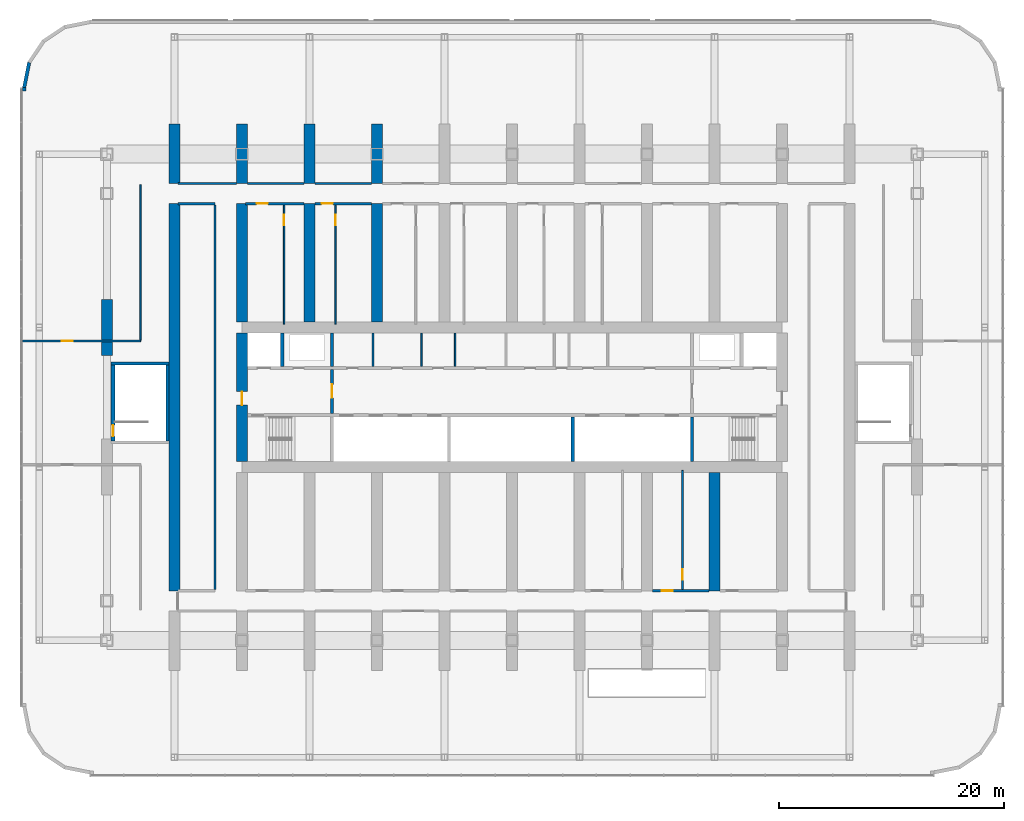
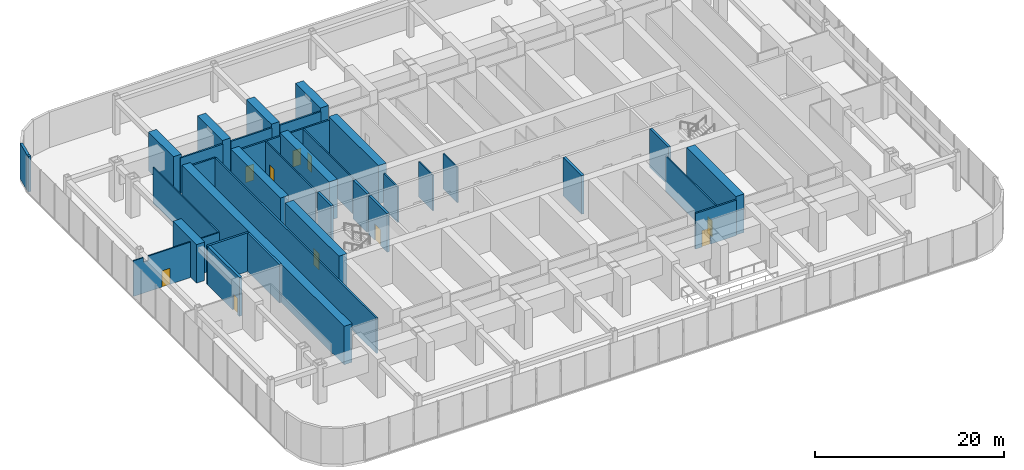
# One storey, part 13 of 26: 37 walls, 10 doors, 10 openings.
"""IFC4 building model written with IfcOpenShell, lengths in metres."""

from ifc_helpers import new_model, si_unit, direction, frame, frame_2d, origin, place, context, subcontext, project, spatial, polyline, rectangle, outline, extrude, material, layer, layer_set, type_object, element, fill, save


model = new_model("IFC4")

# Units and contexts
model_context = context("Model", 3, precision=1e-05, world=origin(), true_north=direction((0.0, 1.0)))
body_context = subcontext(model_context, "Body", "Model", "MODEL_VIEW")
ifc_project = project(units=[si_unit("LENGTHUNIT", "METRE"), si_unit("AREAUNIT", "SQUARE_METRE"), si_unit("VOLUMEUNIT", "CUBIC_METRE"), si_unit("PLANEANGLEUNIT", "RADIAN"), si_unit("MASSUNIT", "GRAM", prefix="KILO")], contexts=[model_context])

# Site, building, storey
site_placement = place(None, origin())
site = spatial("IfcSite", under=ifc_project, at=site_placement, CompositionType="ELEMENT")
building_placement = place(site_placement, origin())
building = spatial("IfcBuilding", under=site, at=building_placement, Name="Orbita Commons", CompositionType="ELEMENT")
storey_placement = place(building_placement, frame((0.0, 0.0, 11.0)))
storey = spatial("IfcBuildingStorey", under=building, at=storey_placement, Name="L02", CompositionType="ELEMENT", Elevation=11.0)

# Wall
ifc_material_1 = material(Name="Concrete C50/60", Category="concrete")
ifc_layer_1 = layer(ifc_material_1, 0.300048828125)
ifc_layer_set_1 = layer_set([ifc_layer_1], Name="Concrete C50/60")
wall_type_1 = type_object("IfcWallType", Name="Core inner wall 300 C50/60", PredefinedType="SHEAR", material=ifc_layer_set_1)
wall_1_placement = place(storey_placement, frame((58.0, 26.300048828125, 0.0), z_axis=(0.0, 0.0, 1.0), x_axis=(0.0, 1.0, 0.0)))
element("IfcWall", 1, at=wall_1_placement, inside=storey, type_object=wall_type_1, Name="Stair S2 wall L02", PredefinedType="SHEAR", context=body_context, shape_type="SweptSolid", body=[
    extrude(rectangle(XDim=3.949951171875, YDim=0.300048828125, at=frame_2d((1.97509765625, 0.0))), origin(), (0.0, 0.0, 1.0), 5.0),
])

# Wall, opening, door
wall_2_placement = place(storey_placement, frame((26.0, 30.550048828125, 0.0), z_axis=(0.0, 0.0, 1.0), x_axis=(0.0, 1.0, 0.0)))
wall_2 = element("IfcWall", 2, at=wall_2_placement, inside=storey, type_object=wall_type_1, Name="Firefighting lobby wall west L02", PredefinedType="SHEAR", context=body_context, shape_type="SweptSolid", body=[
    extrude(rectangle(XDim=3.89990234375, YDim=0.300048828125, at=frame_2d((1.949951171875, 0.0))), origin(), (0.0, 0.0, 1.0), 5.0),
])
opening_1_placement = place(wall_2_placement, frame((1.39990234375, 0.0, 0.0)))
opening_1 = element("IfcOpeningElement", 3, at=opening_1_placement, cuts=wall_2, Name="Opening D04", PredefinedType="OPENING", context=body_context, shape_type="SweptSolid", body=[
    extrude(rectangle(XDim=1.199951171875, YDim=2.10009765625, at=frame_2d((0.60009765625, 1.050048828125))), frame((0.0, 0.159912109375, 0.0), z_axis=(0.0, -1.0, 0.0), x_axis=(1.0, 0.0, 0.0)), (0.0, 0.0, 1.0), 0.320068359375),
])
ifc_material_2 = material(Name="Steel-faced fire door leaf", Category="steel")
door_type_1 = type_object("IfcDoorType", Name="Service door 20 min 1200x2100", OperationType="SINGLE_SWING_LEFT", PredefinedType="DOOR", material=ifc_material_2)
door_1_placement = place(opening_1_placement, origin())
door_1 = element("IfcDoor", 4, at=door_1_placement, inside=storey, type_object=door_type_1, Name="Lift lobby door west", OperationType="SINGLE_SWING_LEFT", OverallHeight=2.10009765625, OverallWidth=1.199951171875, PredefinedType="DOOR", context=body_context, shape_type="SweptSolid", body=[
    extrude(rectangle(XDim=1.199951171875, YDim=2.10009765625, at=frame_2d((0.60009765625, 1.050048828125))), frame((0.0, 0.02490234375, 0.0), z_axis=(0.0, -1.0, 0.0), x_axis=(1.0, 0.0, 0.0)), (0.0, 0.0, 1.0), 0.050048828125),
])
fill(opening_1, door_1)

# Walls
for number, where, z_axis, x_axis, name in (
    (5, (21.60009765625, 34.75, 0.0), (0.0, 0.0, 1.0), (0.0, 1.0, 0.0), "Firefighting lift FL1 shaft wall L02"),
    (6, (26.0, 34.75, 0.0), (0.0, 0.0, 1.0), (0.0, 1.0, 0.0), "Riser wall west L02"),
):
    element("IfcWall", number, at=place(storey_placement, frame(where, z_axis=z_axis, x_axis=x_axis)), inside=storey, type_object=wall_type_1, Name=name, PredefinedType="SHEAR", context=body_context, shape_type="SweptSolid", body=[
        extrude(rectangle(XDim=2.949951171875, YDim=0.300048828125, at=frame_2d((1.47509765625, 0.0))), origin(), (0.0, 0.0, 1.0), 5.0),
    ])
wall_3_placement = place(storey_placement, frame((47.39990234375, 26.300048828125, 0.0), z_axis=(0.0, 0.0, 1.0), x_axis=(0.0, 1.0, 0.0)))
element("IfcWall", 7, at=wall_3_placement, inside=storey, type_object=wall_type_1, Name="Hoistway division wall L02", PredefinedType="SHEAR", context=body_context, shape_type="SweptSolid", body=[
    extrude(rectangle(XDim=3.949951171875, YDim=0.300048828125, at=frame_2d((1.97509765625, 0.0))), origin(), (0.0, 0.0, 1.0), 5.0),
])
ifc_material_3 = material(Name="Concrete blockwork", Category="masonry")
ifc_layer_2 = layer(ifc_material_3, 0.14990234375)
ifc_layer_set_2 = layer_set([ifc_layer_2], Name="Concrete blockwork")
wall_type_2 = type_object("IfcWallType", Name="Core partition 150 blockwork", PredefinedType="SOLIDWALL", material=ifc_layer_set_2)
for number, where, z_axis, x_axis, name in (
    (8, (29.65087890625, 34.75, 0.0), (0.0, 0.0, 1.0), (0.0, 1.0, 0.0), "Core partition 150 blockwork L02"),
    (9, (33.9462890625, 34.75, 0.0), (0.0, 0.0, 1.0), (0.0, 1.0, 0.0), "Core partition 150 blockwork L02"),
    (10, (36.9462890625, 34.75, 0.0), (0.0, 0.0, 1.0), (0.0, 1.0, 0.0), "Core partition 150 blockwork L02"),
):
    element("IfcWall", number, at=place(storey_placement, frame(where, z_axis=z_axis, x_axis=x_axis)), inside=storey, type_object=wall_type_2, Name=name, PredefinedType="SOLIDWALL", context=body_context, shape_type="SweptSolid", body=[
        extrude(rectangle(XDim=2.949951171875, YDim=0.14990234375, at=frame_2d((1.47509765625, 0.0))), origin(), (0.0, 0.0, 1.0), 4.60009765625),
    ])

# Wall, opening, door
ifc_material_4 = material(Name="Concrete C50/60", Category="concrete")
ifc_layer_3 = layer(ifc_material_4, 1.0)
ifc_layer_set_3 = layer_set([ifc_layer_3], Name="Concrete C50/60")
wall_type_3 = type_object("IfcWallType", Name="Core wall 1000 C50/60", PredefinedType="SHEAR", material=ifc_layer_set_3)
wall_4_placement = place(storey_placement, frame((18.0, 26.300048828125, 0.0), z_axis=(0.0, 0.0, 1.0), x_axis=(0.0, 1.0, 0.0)))
wall_4 = element("IfcWall", 11, at=wall_4_placement, inside=storey, type_object=wall_type_3, Name="Core end wall west L02", PredefinedType="SHEAR", context=body_context, shape_type="SweptSolid", body=[
    extrude(rectangle(XDim=11.39990234375, YDim=1.0, at=frame_2d((5.699951171875, 0.0))), origin(), (0.0, 0.0, 1.0), 5.0),
])
opening_2_placement = place(wall_4_placement, frame((5.0, 0.0, 0.0)))
opening_2 = element("IfcOpeningElement", 12, at=opening_2_placement, cuts=wall_4, Name="Opening D01", PredefinedType="OPENING", context=body_context, shape_type="SweptSolid", body=[
    extrude(rectangle(XDim=1.199951171875, YDim=2.10009765625, at=frame_2d((0.60009765625, 1.050048828125))), frame((0.0, 0.510009765625, 0.0), z_axis=(0.0, -1.0, 0.0), x_axis=(1.0, 0.0, 0.0)), (0.0, 0.0, 1.0), 1.02001953125),
])
ifc_material_5 = material(Name="Steel-faced fire door leaf", Category="steel")
door_type_2 = type_object("IfcDoorType", Name="Fire door 90 min 1200x2100", OperationType="SINGLE_SWING_LEFT", PredefinedType="DOOR", material=ifc_material_5)
door_2_placement = place(opening_2_placement, origin())
door_2 = element("IfcDoor", 13, at=door_2_placement, inside=storey, type_object=door_type_2, Name="Firefighting lobby west door", OperationType="SINGLE_SWING_LEFT", OverallHeight=2.10009765625, OverallWidth=1.199951171875, PredefinedType="DOOR", context=body_context, shape_type="SweptSolid", body=[
    extrude(rectangle(XDim=1.199951171875, YDim=2.10009765625, at=frame_2d((0.60009765625, 1.050048828125))), frame((0.0, 0.02490234375, 0.0), z_axis=(0.0, -1.0, 0.0), x_axis=(1.0, 0.0, 0.0)), (0.0, 0.0, 1.0), 0.050048828125),
])
fill(opening_2, door_2)

# Walls
ifc_material_6 = material(Name="Concrete blockwork", Category="masonry")
ifc_layer_4 = layer(ifc_material_6, 0.199951171875)
ifc_layer_set_4 = layer_set([ifc_layer_4], Name="Concrete blockwork")
wall_type_4 = type_object("IfcWallType", Name="Corridor wall 200 blockwork", PredefinedType="SOLIDWALL", material=ifc_layer_set_4)
wall_5_placement = place(storey_placement, frame((12.300048828125, 51.0, 0.0), z_axis=(0.0, 0.0, 1.0), x_axis=(1.0, 0.0, 0.0)))
element("IfcWall", 14, at=wall_5_placement, inside=storey, type_object=wall_type_4, Name="Corridor wall 200 blockwork L02", PredefinedType="SOLIDWALL", context=body_context, shape_type="SweptSolid", body=[
    extrude(rectangle(XDim=5.199951171875, YDim=0.199951171875, at=frame_2d((2.60009765625, 0.0))), origin(), (0.0, 0.0, 1.0), 4.60009765625),
])
for number, where, z_axis, x_axis, name in (
    (15, (18.5, 51.0, 0.0), (0.0, 0.0, 1.0), (1.0, 0.0, 0.0), "Corridor wall 200 blockwork L02"),
    (16, (24.5, 51.0, 0.0), (0.0, 0.0, 1.0), (1.0, 0.0, 0.0), "Corridor wall 200 blockwork L02"),
):
    element("IfcWall", number, at=place(storey_placement, frame(where, z_axis=z_axis, x_axis=x_axis)), inside=storey, type_object=wall_type_4, Name=name, PredefinedType="SOLIDWALL", context=body_context, shape_type="SweptSolid", body=[
        extrude(rectangle(XDim=5.0, YDim=0.199951171875, at=frame_2d((2.5, 0.0))), origin(), (0.0, 0.0, 1.0), 4.60009765625),
    ])
wall_6_placement = place(storey_placement, frame((12.300048828125, 49.199951171875, 0.0), z_axis=(0.0, 0.0, 1.0), x_axis=(1.0, 0.0, 0.0)))
element("IfcWall", 17, at=wall_6_placement, inside=storey, type_object=wall_type_4, Name="Corridor wall 200 blockwork L02", PredefinedType="SOLIDWALL", context=body_context, shape_type="SweptSolid", body=[
    extrude(rectangle(XDim=3.300048828125, YDim=0.199951171875, at=frame_2d((1.64990234375, 0.0))), origin(), (0.0, 0.0, 1.0), 4.60009765625),
])
wall_7_placement = place(storey_placement, frame((15.60009765625, 14.89990234375, 0.0), z_axis=(0.0, 0.0, 1.0), x_axis=(0.0, 1.0, 0.0)))
element("IfcWall", 18, at=wall_7_placement, inside=storey, type_object=wall_type_4, Name="Corridor wall 200 blockwork L02", PredefinedType="SOLIDWALL", context=body_context, shape_type="SweptSolid", body=[
    extrude(rectangle(XDim=34.2001953125, YDim=0.199951171875, at=frame_2d((17.10009765625, 0.0))), origin(), (0.0, 0.0, 1.0), 4.60009765625),
])

# Wall, opening, door
wall_8_placement = place(storey_placement, frame((54.5, 14.800048828125, 0.0), z_axis=(0.0, 0.0, 1.0), x_axis=(1.0, 0.0, 0.0)))
wall_8 = element("IfcWall", 19, at=wall_8_placement, inside=storey, type_object=wall_type_4, Name="Corridor wall 200 blockwork L02", PredefinedType="SOLIDWALL", context=body_context, shape_type="SweptSolid", body=[
    extrude(rectangle(XDim=5.0, YDim=0.199951171875, at=frame_2d((2.5, 0.0))), origin(), (0.0, 0.0, 1.0), 4.60009765625),
])
opening_3_placement = place(wall_8_placement, frame((0.800048828125, 0.0, 0.0)))
opening_3 = element("IfcOpeningElement", 20, at=opening_3_placement, cuts=wall_8, Name="Opening D06", PredefinedType="OPENING", context=body_context, shape_type="SweptSolid", body=[
    extrude(rectangle(XDim=1.0, YDim=2.10009765625, at=frame_2d((0.5, 1.050048828125))), frame((0.0, 0.10986328125, 0.0), z_axis=(0.0, -1.0, 0.0), x_axis=(1.0, 0.0, 0.0)), (0.0, 0.0, 1.0), 0.219970703125),
])
ifc_material_7 = material(Name="Steel-faced fire door leaf", Category="steel")
door_type_3 = type_object("IfcDoorType", Name="Corridor door 20 min 1000x2100", OperationType="SINGLE_SWING_LEFT", PredefinedType="DOOR", material=ifc_material_7)
door_3_placement = place(opening_3_placement, origin())
door_3 = element("IfcDoor", 21, at=door_3_placement, inside=storey, type_object=door_type_3, Name="Room door", OperationType="SINGLE_SWING_LEFT", OverallHeight=2.10009765625, OverallWidth=1.0, PredefinedType="DOOR", context=body_context, shape_type="SweptSolid", body=[
    extrude(rectangle(XDim=1.0, YDim=2.10009765625, at=frame_2d((0.5, 1.050048828125))), frame((0.0, 0.02490234375, 0.0), z_axis=(0.0, -1.0, 0.0), x_axis=(1.0, 0.0, 0.0)), (0.0, 0.0, 1.0), 0.050048828125),
])
fill(opening_3, door_3)

wall_9_placement = place(storey_placement, frame((18.300048828125, 49.199951171875, 0.0), z_axis=(0.0, 0.0, 1.0), x_axis=(1.0, 0.0, 0.0)))
wall_9 = element("IfcWall", 22, at=wall_9_placement, inside=storey, type_object=wall_type_4, Name="Corridor wall 200 blockwork L02", PredefinedType="SOLIDWALL", context=body_context, shape_type="SweptSolid", body=[
    extrude(rectangle(XDim=5.199951171875, YDim=0.199951171875, at=frame_2d((2.60009765625, 0.0))), origin(), (0.0, 0.0, 1.0), 4.60009765625),
])
opening_4_placement = place(wall_9_placement, frame((1.0, 0.0, 0.0)))
opening_4 = element("IfcOpeningElement", 23, at=opening_4_placement, cuts=wall_9, Name="Opening D06", PredefinedType="OPENING", context=body_context, shape_type="SweptSolid", body=[
    extrude(rectangle(XDim=1.0, YDim=2.10009765625, at=frame_2d((0.5, 1.050048828125))), frame((0.0, 0.10986328125, 0.0), z_axis=(0.0, -1.0, 0.0), x_axis=(1.0, 0.0, 0.0)), (0.0, 0.0, 1.0), 0.219970703125),
])
door_4_placement = place(opening_4_placement, origin())
door_4 = element("IfcDoor", 24, at=door_4_placement, inside=storey, type_object=door_type_3, Name="Room door", OperationType="SINGLE_SWING_LEFT", OverallHeight=2.10009765625, OverallWidth=1.0, PredefinedType="DOOR", context=body_context, shape_type="SweptSolid", body=[
    extrude(rectangle(XDim=1.0, YDim=2.10009765625, at=frame_2d((0.5, 1.050048828125))), frame((0.0, 0.02490234375, 0.0), z_axis=(0.0, -1.0, 0.0), x_axis=(1.0, 0.0, 0.0)), (0.0, 0.0, 1.0), 0.050048828125),
])
fill(opening_4, door_4)

wall_10_placement = place(storey_placement, frame((24.5, 49.199951171875, 0.0), z_axis=(0.0, 0.0, 1.0), x_axis=(1.0, 0.0, 0.0)))
wall_10 = element("IfcWall", 25, at=wall_10_placement, inside=storey, type_object=wall_type_4, Name="Corridor wall 200 blockwork L02", PredefinedType="SOLIDWALL", context=body_context, shape_type="SweptSolid", body=[
    extrude(rectangle(XDim=5.0, YDim=0.199951171875, at=frame_2d((2.5, 0.0))), origin(), (0.0, 0.0, 1.0), 4.60009765625),
])
opening_5_placement = place(wall_10_placement, frame((0.574951171875, 0.0, 0.0)))
opening_5 = element("IfcOpeningElement", 26, at=opening_5_placement, cuts=wall_10, Name="Opening D06", PredefinedType="OPENING", context=body_context, shape_type="SweptSolid", body=[
    extrude(rectangle(XDim=1.0, YDim=2.10009765625, at=frame_2d((0.5, 1.050048828125))), frame((0.0, 0.10986328125, 0.0), z_axis=(0.0, -1.0, 0.0), x_axis=(1.0, 0.0, 0.0)), (0.0, 0.0, 1.0), 0.219970703125),
])
door_5_placement = place(opening_5_placement, origin())
door_5 = element("IfcDoor", 27, at=door_5_placement, inside=storey, type_object=door_type_3, Name="Room door", OperationType="SINGLE_SWING_LEFT", OverallHeight=2.10009765625, OverallWidth=1.0, PredefinedType="DOOR", context=body_context, shape_type="SweptSolid", body=[
    extrude(rectangle(XDim=1.0, YDim=2.10009765625, at=frame_2d((0.5, 1.050048828125))), frame((0.0, 0.02490234375, 0.0), z_axis=(0.0, -1.0, 0.0), x_axis=(1.0, 0.0, 0.0)), (0.0, 0.0, 1.0), 0.050048828125),
])
fill(opening_5, door_5)

# Walls
ifc_material_8 = material(Name="Concrete C50/60", Category="concrete")
ifc_layer_5 = layer(ifc_material_8, 1.0)
ifc_layer_set_5 = layer_set([ifc_layer_5], Name="Concrete C50/60")
wall_type_5 = type_object("IfcWallType", Name="Cross wall 1000 C50/60", PredefinedType="SHEAR", material=ifc_layer_set_5)
wall_11_placement = place(storey_placement, frame((12.0, 51.0, 0.0), z_axis=(0.0, 0.0, 1.0), x_axis=(0.0, 1.0, 0.0)))
element("IfcWall", 28, at=wall_11_placement, inside=storey, type_object=wall_type_5, Name="Cross wall 3 north outer L02", PredefinedType="SHEAR", context=body_context, shape_type="SweptSolid", body=[
    extrude(rectangle(XDim=5.300048828125, YDim=1.0, at=frame_2d((2.64990234375, 0.0))), origin(), (0.0, 0.0, 1.0), 5.0),
])
wall_12_placement = place(storey_placement, frame((12.0, 14.800048828125, 0.0), z_axis=(0.0, 0.0, 1.0), x_axis=(0.0, 1.0, 0.0)))
element("IfcWall", 29, at=wall_12_placement, inside=storey, type_object=wall_type_5, Name="Cross wall 3 inner L02", PredefinedType="SHEAR", context=body_context, shape_type="SweptSolid", body=[
    extrude(rectangle(XDim=34.39990234375, YDim=1.0, at=frame_2d((17.199951171875, 0.0))), origin(), (0.0, 0.0, 1.0), 5.0),
])
wall_13_placement = place(storey_placement, frame((18.0, 51.0, 0.0), z_axis=(0.0, 0.0, 1.0), x_axis=(0.0, 1.0, 0.0)))
element("IfcWall", 30, at=wall_13_placement, inside=storey, type_object=wall_type_5, Name="Cross wall 4 north outer L02", PredefinedType="SHEAR", context=body_context, shape_type="SweptSolid", body=[
    extrude(rectangle(XDim=5.300048828125, YDim=1.0, at=frame_2d((2.64990234375, 0.0))), origin(), (0.0, 0.0, 1.0), 5.0),
])
wall_14_placement = place(storey_placement, frame((18.0, 38.699951171875, 0.0), z_axis=(0.0, 0.0, 1.0), x_axis=(0.0, 1.0, 0.0)))
element("IfcWall", 31, at=wall_14_placement, inside=storey, type_object=wall_type_5, Name="Cross wall 4 north inner L02", PredefinedType="SHEAR", context=body_context, shape_type="SweptSolid", body=[
    extrude(rectangle(XDim=10.5, YDim=1.0, at=frame_2d((5.25, 0.0))), origin(), (0.0, 0.0, 1.0), 5.0),
])
wall_15_placement = place(storey_placement, frame((24.0, 51.0, 0.0), z_axis=(0.0, 0.0, 1.0), x_axis=(0.0, 1.0, 0.0)))
element("IfcWall", 32, at=wall_15_placement, inside=storey, type_object=wall_type_5, Name="Cross wall 5 north outer L02", PredefinedType="SHEAR", context=body_context, shape_type="SweptSolid", body=[
    extrude(rectangle(XDim=5.300048828125, YDim=1.0, at=frame_2d((2.64990234375, 0.0))), origin(), (0.0, 0.0, 1.0), 5.0),
])
wall_16_placement = place(storey_placement, frame((24.0, 38.699951171875, 0.0), z_axis=(0.0, 0.0, 1.0), x_axis=(0.0, 1.0, 0.0)))
element("IfcWall", 33, at=wall_16_placement, inside=storey, type_object=wall_type_5, Name="Cross wall 5 north inner L02", PredefinedType="SHEAR", context=body_context, shape_type="SweptSolid", body=[
    extrude(rectangle(XDim=10.5, YDim=1.0, at=frame_2d((5.25, 0.0))), origin(), (0.0, 0.0, 1.0), 5.0),
])
wall_17_placement = place(storey_placement, frame((30.0, 51.0, 0.0), z_axis=(0.0, 0.0, 1.0), x_axis=(0.0, 1.0, 0.0)))
element("IfcWall", 34, at=wall_17_placement, inside=storey, type_object=wall_type_5, Name="Cross wall 6 north outer L02", PredefinedType="SHEAR", context=body_context, shape_type="SweptSolid", body=[
    extrude(rectangle(XDim=5.300048828125, YDim=1.0, at=frame_2d((2.64990234375, 0.0))), origin(), (0.0, 0.0, 1.0), 5.0),
])
for number, where, z_axis, x_axis, name in (
    (35, (30.0, 38.699951171875, 0.0), (0.0, 0.0, 1.0), (0.0, 1.0, 0.0), "Cross wall 6 north inner L02"),
    (36, (60.0, 14.800048828125, 0.0), (0.0, 0.0, 1.0), (0.0, 1.0, 0.0), "Cross wall 11 south inner L02"),
):
    element("IfcWall", number, at=place(storey_placement, frame(where, z_axis=z_axis, x_axis=x_axis)), inside=storey, type_object=wall_type_5, Name=name, PredefinedType="SHEAR", context=body_context, shape_type="SweptSolid", body=[
        extrude(rectangle(XDim=10.5, YDim=1.0, at=frame_2d((5.25, 0.0))), origin(), (0.0, 0.0, 1.0), 5.0),
    ])
ifc_material_9 = material(Name="Concrete C50/60", Category="concrete")
ifc_layer_6 = layer(ifc_material_9, 1.0)
ifc_layer_set_6 = layer_set([ifc_layer_6], Name="Concrete C50/60")
wall_type_6 = type_object("IfcWallType", Name="End pier 1000x5000 C50/60", PredefinedType="SHEAR", material=ifc_layer_set_6)
wall_18_placement = place(storey_placement, frame((6.0, 35.699951171875, 0.0), z_axis=(0.0, 0.0, 1.0), x_axis=(0.0, 1.0, 0.0)))
element("IfcWall", 37, at=wall_18_placement, inside=storey, type_object=wall_type_6, Name="End pier 2/D L02", PredefinedType="SHEAR", context=body_context, shape_type="SweptSolid", body=[
    extrude(rectangle(XDim=5.0, YDim=1.0, at=frame_2d((2.5, 0.0))), origin(), (0.0, 0.0, 1.0), 5.0),
])

# Wall, opening, door
ifc_material_10 = material(Name="Gypsum plasterboard on steel studs", Category="steel")
ifc_layer_7 = layer(ifc_material_10, 0.14990234375)
ifc_layer_set_7 = layer_set([ifc_layer_7], Name="Gypsum plasterboard on steel studs")
wall_type_7 = type_object("IfcWallType", Name="Partition 150 plasterboard", PredefinedType="PARTITIONING", material=ifc_layer_set_7)
wall_19_placement = place(storey_placement, frame((57.14990234375, 14.800048828125, 0.0), z_axis=(0.0, 0.0, 1.0), x_axis=(0.0, 1.0, 0.0)))
wall_19 = element("IfcWall", 38, at=wall_19_placement, inside=storey, type_object=wall_type_7, Name="Partition 150 plasterboard L02", PredefinedType="PARTITIONING", context=body_context, shape_type="SweptSolid", body=[
    extrude(rectangle(XDim=10.699951171875, YDim=0.14990234375, at=frame_2d((5.35009765625, 0.0))), origin(), (0.0, 0.0, 1.0), 4.60009765625),
])
opening_6_placement = place(wall_19_placement, frame((1.0, 0.0, 0.0)))
opening_6 = element("IfcOpeningElement", 39, at=opening_6_placement, cuts=wall_19, Name="Opening D09", PredefinedType="OPENING", context=body_context, shape_type="SweptSolid", body=[
    extrude(rectangle(XDim=0.89990234375, YDim=2.10009765625, at=frame_2d((0.449951171875, 1.050048828125))), frame((0.0, 0.0849609375, 0.0), z_axis=(0.0, -1.0, 0.0), x_axis=(1.0, 0.0, 0.0)), (0.0, 0.0, 1.0), 0.169921875),
])
ifc_material_11 = material(Name="Laminated timber door leaf", Category="wood")
door_type_4 = type_object("IfcDoorType", Name="En-suite door 900x2100", OperationType="SINGLE_SWING_RIGHT", PredefinedType="DOOR", material=ifc_material_11)
door_6_placement = place(opening_6_placement, origin())
door_6 = element("IfcDoor", 40, at=door_6_placement, inside=storey, type_object=door_type_4, Name="Furniture store L02 door", OperationType="SINGLE_SWING_RIGHT", OverallHeight=2.10009765625, OverallWidth=0.89990234375, PredefinedType="DOOR", context=body_context, shape_type="SweptSolid", body=[
    extrude(rectangle(XDim=0.89990234375, YDim=2.10009765625, at=frame_2d((0.449951171875, 1.050048828125))), frame((0.0, 0.02490234375, 0.0), z_axis=(0.0, -1.0, 0.0), x_axis=(1.0, 0.0, 0.0)), (0.0, 0.0, 1.0), 0.050048828125),
])
fill(opening_6, door_6)

wall_20_placement = place(storey_placement, frame((21.75, 38.5, 0.0), z_axis=(0.0, 0.0, 1.0), x_axis=(0.0, 1.0, 0.0)))
wall_20 = element("IfcWall", 41, at=wall_20_placement, inside=storey, type_object=wall_type_7, Name="Partition 150 plasterboard L02", PredefinedType="PARTITIONING", context=body_context, shape_type="SweptSolid", body=[
    extrude(rectangle(XDim=10.699951171875, YDim=0.14990234375, at=frame_2d((5.35009765625, 0.0))), origin(), (0.0, 0.0, 1.0), 4.60009765625),
])
opening_7_placement = place(wall_20_placement, frame((8.800048828125, 0.0, 0.0)))
opening_7 = element("IfcOpeningElement", 42, at=opening_7_placement, cuts=wall_20, Name="Opening D09", PredefinedType="OPENING", context=body_context, shape_type="SweptSolid", body=[
    extrude(rectangle(XDim=0.89990234375, YDim=2.10009765625, at=frame_2d((0.449951171875, 1.050048828125))), frame((0.0, 0.0849609375, 0.0), z_axis=(0.0, -1.0, 0.0), x_axis=(1.0, 0.0, 0.0)), (0.0, 0.0, 1.0), 0.169921875),
])
door_7_placement = place(opening_7_placement, origin())
door_7 = element("IfcDoor", 43, at=door_7_placement, inside=storey, type_object=door_type_4, Name="Music store L02 door", OperationType="SINGLE_SWING_RIGHT", OverallHeight=2.10009765625, OverallWidth=0.89990234375, PredefinedType="DOOR", context=body_context, shape_type="SweptSolid", body=[
    extrude(rectangle(XDim=0.89990234375, YDim=2.10009765625, at=frame_2d((0.449951171875, 1.050048828125))), frame((0.0, 0.02490234375, 0.0), z_axis=(0.0, -1.0, 0.0), x_axis=(1.0, 0.0, 0.0)), (0.0, 0.0, 1.0), 0.050048828125),
])
fill(opening_7, door_7)

wall_21_placement = place(storey_placement, frame((26.324951171875, 38.5, 0.0), z_axis=(0.0, 0.0, 1.0), x_axis=(0.0, 1.0, 0.0)))
wall_21 = element("IfcWall", 44, at=wall_21_placement, inside=storey, type_object=wall_type_7, Name="Partition 150 plasterboard L02", PredefinedType="PARTITIONING", context=body_context, shape_type="SweptSolid", body=[
    extrude(rectangle(XDim=10.699951171875, YDim=0.14990234375, at=frame_2d((5.35009765625, 0.0))), origin(), (0.0, 0.0, 1.0), 4.60009765625),
])
opening_8_placement = place(wall_21_placement, frame((8.800048828125, 0.0, 0.0)))
opening_8 = element("IfcOpeningElement", 45, at=opening_8_placement, cuts=wall_21, Name="Opening D09", PredefinedType="OPENING", context=body_context, shape_type="SweptSolid", body=[
    extrude(rectangle(XDim=0.89990234375, YDim=2.10009765625, at=frame_2d((0.449951171875, 1.050048828125))), frame((0.0, 0.0849609375, 0.0), z_axis=(0.0, -1.0, 0.0), x_axis=(1.0, 0.0, 0.0)), (0.0, 0.0, 1.0), 0.169921875),
])
door_8_placement = place(opening_8_placement, origin())
door_8 = element("IfcDoor", 46, at=door_8_placement, inside=storey, type_object=door_type_4, Name="Instrument store L02 door", OperationType="SINGLE_SWING_RIGHT", OverallHeight=2.10009765625, OverallWidth=0.89990234375, PredefinedType="DOOR", context=body_context, shape_type="SweptSolid", body=[
    extrude(rectangle(XDim=0.89990234375, YDim=2.10009765625, at=frame_2d((0.449951171875, 1.050048828125))), frame((0.0, 0.02490234375, 0.0), z_axis=(0.0, -1.0, 0.0), x_axis=(1.0, 0.0, 0.0)), (0.0, 0.0, 1.0), 0.050048828125),
])
fill(opening_8, door_8)

wall_22_placement = place(storey_placement, frame((-1.489990234375, 37.0, 0.0), z_axis=(0.0, 0.0, 1.0), x_axis=(1.0, 0.0, 0.0)))
wall_22 = element("IfcWall", 47, at=wall_22_placement, inside=storey, type_object=wall_type_7, Name="Partition 150 plasterboard L02", PredefinedType="PARTITIONING", context=body_context, shape_type="SweptSolid", body=[
    extrude(outline(polyline([(0.0, 0.0), (10.489990234375, 0.0), (10.489990234375, 4.60009765625), (1.7919921875, 4.60009765625), (1.7900390625, 4.0), (1.19189453125, 4.0), (1.18994140625, 4.60009765625), (0.0, 4.60009765625), (0.0, 0.0)])), frame((0.0, 0.074951171875, 0.0), z_axis=(0.0, -1.0, 0.0), x_axis=(1.0, 0.0, 0.0)), (0.0, 0.0, 1.0), 0.14990234375),
])
opening_9_placement = place(wall_22_placement, frame((3.469970703125, 0.0, 0.0)))
opening_9 = element("IfcOpeningElement", 48, at=opening_9_placement, cuts=wall_22, Name="Opening D06", PredefinedType="OPENING", context=body_context, shape_type="SweptSolid", body=[
    extrude(rectangle(XDim=1.0, YDim=2.10009765625, at=frame_2d((0.5, 1.050048828125))), frame((0.0, 0.0849609375, 0.0), z_axis=(0.0, -1.0, 0.0), x_axis=(1.0, 0.0, 0.0)), (0.0, 0.0, 1.0), 0.169921875),
])
door_9_placement = place(opening_9_placement, origin())
door_9 = element("IfcDoor", 49, at=door_9_placement, inside=storey, type_object=door_type_3, Name="Silent study room door", OperationType="SINGLE_SWING_LEFT", OverallHeight=2.10009765625, OverallWidth=1.0, PredefinedType="DOOR", context=body_context, shape_type="SweptSolid", body=[
    extrude(rectangle(XDim=1.0, YDim=2.10009765625, at=frame_2d((0.5, 1.050048828125))), frame((0.0, 0.02490234375, 0.0), z_axis=(0.0, -1.0, 0.0), x_axis=(1.0, 0.0, 0.0)), (0.0, 0.0, 1.0), 0.050048828125),
])
fill(opening_9, door_9)

# Walls
wall_23_placement = place(storey_placement, frame((9.0, 37.074951171875, 0.0), z_axis=(0.0, 0.0, 1.0), x_axis=(0.0, 1.0, 0.0)))
element("IfcWall", 50, at=wall_23_placement, inside=storey, type_object=wall_type_7, Name="Partition 150 plasterboard L02", PredefinedType="PARTITIONING", context=body_context, shape_type="SweptSolid", body=[
    extrude(rectangle(XDim=13.824951171875, YDim=0.14990234375, at=frame_2d((6.91259765625, 0.0))), origin(), (0.0, 0.0, 1.0), 4.60009765625),
])
ifc_material_12 = material(Name="Concrete C50/60", Category="concrete")
ifc_layer_8 = layer(ifc_material_12, 0.25)
ifc_layer_set_8 = layer_set([ifc_layer_8], Name="Concrete C50/60")
wall_type_8 = type_object("IfcWallType", Name="Podium stair wall 250 RC", PredefinedType="SHEAR", material=ifc_layer_set_8)
wall_24_placement = place(storey_placement, frame((11.39990234375, 28.125, 0.0), z_axis=(0.0, 0.0, 1.0), x_axis=(0.0, 1.0, 0.0)))
element("IfcWall", 51, at=wall_24_placement, inside=storey, type_object=wall_type_8, Name="Podium stair PS1 wall e L02", PredefinedType="SHEAR", context=body_context, shape_type="SweptSolid", body=[
    extrude(rectangle(XDim=6.75, YDim=0.25, at=frame_2d((3.375, 0.0))), origin(), (0.0, 0.0, 1.0), 5.0),
])
wall_25_placement = place(storey_placement, frame((11.52490234375, 35.0, 0.0), z_axis=(0.0, 0.0, 1.0), x_axis=(-1.0, 0.0, 0.0)))
element("IfcWall", 52, at=wall_25_placement, inside=storey, type_object=wall_type_8, Name="Podium stair PS1 wall n L02", PredefinedType="SHEAR", context=body_context, shape_type="SweptSolid", body=[
    extrude(rectangle(XDim=5.14990234375, YDim=0.25, at=frame_2d((2.574951171875, 0.0))), origin(), (0.0, 0.0, 1.0), 5.0),
])

# Wall, opening, door
ifc_material_13 = material(Name="Concrete C50/60", Category="concrete")
ifc_layer_9 = layer(ifc_material_13, 0.35009765625)
ifc_layer_set_9 = layer_set([ifc_layer_9], Name="Concrete C50/60")
wall_type_9 = type_object("IfcWallType", Name="Podium stair wall 350 RC", PredefinedType="SHEAR", material=ifc_layer_set_9)
wall_26_placement = place(storey_placement, frame((6.550048828125, 34.875, 0.0), z_axis=(0.0, 0.0, 1.0), x_axis=(0.0, -1.0, 0.0)))
wall_26 = element("IfcWall", 53, at=wall_26_placement, inside=storey, type_object=wall_type_9, Name="Podium stair PS1 wall w L02", PredefinedType="SHEAR", context=body_context, shape_type="SweptSolid", body=[
    extrude(rectangle(XDim=6.75, YDim=0.35009765625, at=frame_2d((3.375, 0.0))), origin(), (0.0, 0.0, 1.0), 5.0),
])
opening_10_placement = place(wall_26_placement, frame((5.35009765625, 0.0, 0.0)))
opening_10 = element("IfcOpeningElement", 54, at=opening_10_placement, cuts=wall_26, Name="Opening D02", PredefinedType="OPENING", context=body_context, shape_type="SweptSolid", body=[
    extrude(rectangle(XDim=1.0, YDim=2.10009765625, at=frame_2d((0.5, 1.050048828125))), frame((0.0, 0.18505859375, 0.0), z_axis=(0.0, -1.0, 0.0), x_axis=(1.0, 0.0, 0.0)), (0.0, 0.0, 1.0), 0.3701171875),
])
ifc_material_14 = material(Name="Steel-faced fire door leaf", Category="steel")
door_type_5 = type_object("IfcDoorType", Name="Fire door 90 min 1000x2100", OperationType="SINGLE_SWING_LEFT", PredefinedType="DOOR", material=ifc_material_14)
door_10_placement = place(opening_10_placement, origin())
door_10 = element("IfcDoor", 55, at=door_10_placement, inside=storey, type_object=door_type_5, Name="Podium exit stair PS1 door", OperationType="SINGLE_SWING_LEFT", OverallHeight=2.10009765625, OverallWidth=1.0, PredefinedType="DOOR", context=body_context, shape_type="SweptSolid", body=[
    extrude(rectangle(XDim=1.0, YDim=2.10009765625, at=frame_2d((0.5, 1.050048828125))), frame((0.0, 0.02490234375, 0.0), z_axis=(0.0, -1.0, 0.0), x_axis=(1.0, 0.0, 0.0)), (0.0, 0.0, 1.0), 0.050048828125),
])
fill(opening_10, door_10)

# Walls
ifc_material_15 = material(Name="Precast concrete C40/50, white board-marked finish", Category="concrete")
ifc_layer_10 = layer(ifc_material_15, 0.300048828125)
ifc_layer_set_10 = layer_set([ifc_layer_10], Name="Precast concrete C40/50, white board-marked finish")
wall_type_10 = type_object("IfcWallType", Name="Precast concrete end shield 300", PredefinedType="SOLIDWALL", material=ifc_layer_set_10)
wall_27_placement = place(storey_placement, frame((-0.90478515625, 61.73876953125, 0.0), z_axis=(0.0, 0.0, 1.0), x_axis=(-0.195087604935, -0.98078582086, 0.0)))
element("IfcWall", 56, at=wall_27_placement, inside=storey, type_object=wall_type_10, Name="Podium corner wall NW 4 L02", PredefinedType="SOLIDWALL", context=body_context, shape_type="SweptSolid", body=[
    extrude(outline(polyline([(-0.02978515625, -0.14990234375), (2.297607421875, -0.14990234375), (2.267822265625, 0.14990234375), (0.02978515625, 0.14990234375), (-0.02978515625, -0.14990234375)])), origin(), (0.0, 0.0, 1.0), 4.60009765625),
])
wall_28_placement = place(storey_placement, frame((-1.35009765625, 59.5, 0.0), z_axis=(0.0, 0.0, 1.0), x_axis=(0.0, -1.0, 0.0)))
element("IfcWall", 57, at=wall_28_placement, inside=storey, type_object=wall_type_10, Name="Podium corner wall jamb W2 L02", PredefinedType="SOLIDWALL", context=body_context, shape_type="SweptSolid", body=[
    extrude(rectangle(XDim=0.300048828125, YDim=0.300048828125, at=frame_2d((0.14990234375, 0.0))), origin(), (0.0, 0.0, 1.0), 4.60009765625),
])

save(model, "model.ifc")
